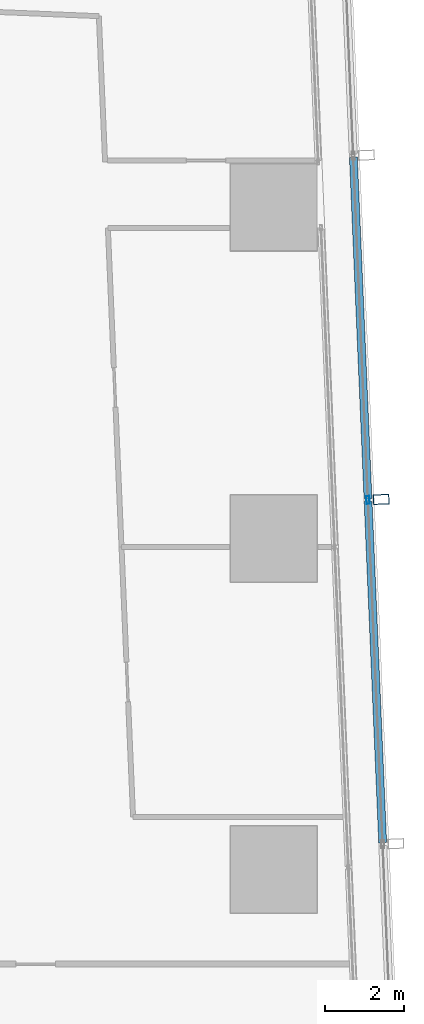
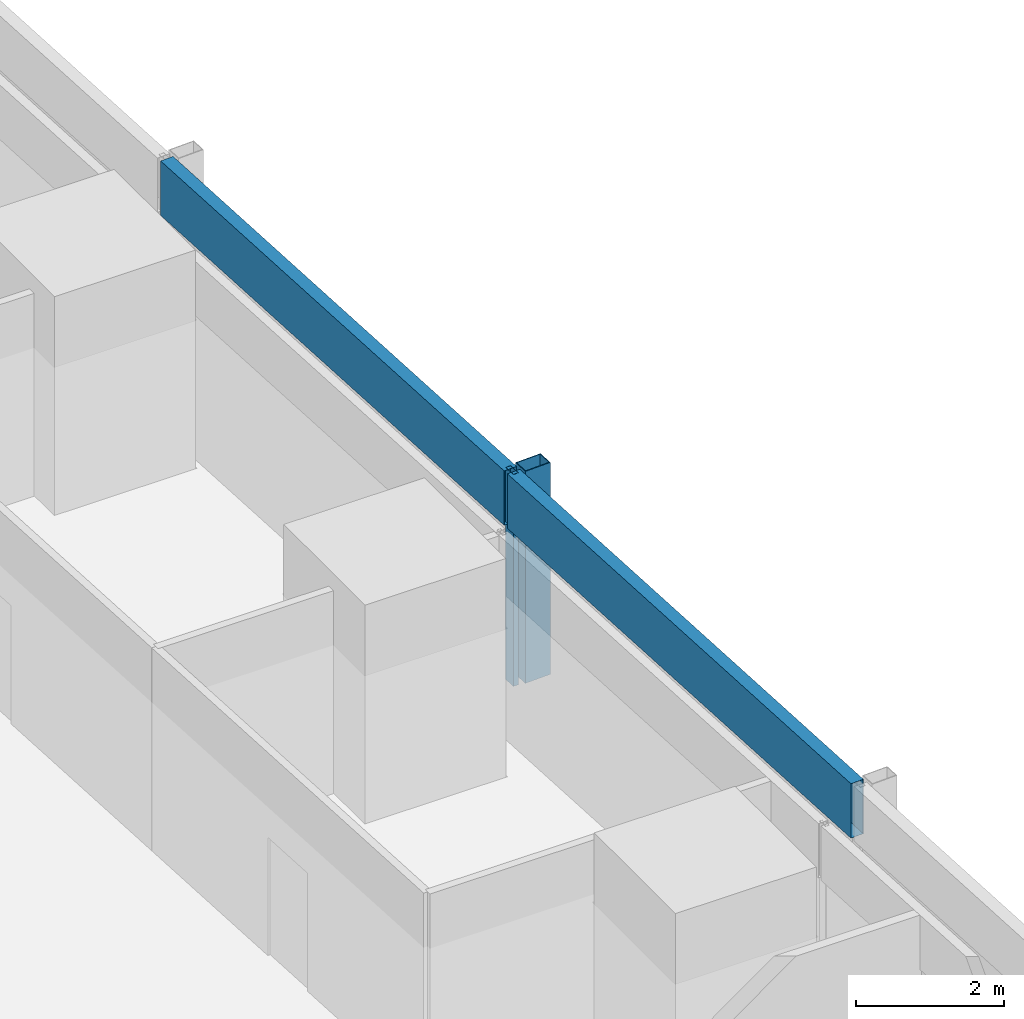
# One storey, part 28 of 44: 4 members, 1 element without a shape of its own.
"""IFC4 building model written with IfcOpenShell, lengths in metres."""

from ifc_helpers import new_model, si_unit, direction, frame, origin, origin_2d, place, context, subcontext, project, spatial, hollow_rectangle, extrude, material, material_profile, profile_set, type_object, element, aggregate, save


model = new_model("IFC4")

# Units and contexts
model_context = context("Model", 3, precision=1e-05, world=origin(), true_north=direction((0.0, 1.0)))
body_context = subcontext(model_context, "Body", "Model", "MODEL_VIEW")
ifc_project = project(units=[si_unit("LENGTHUNIT", "METRE"), si_unit("AREAUNIT", "SQUARE_METRE"), si_unit("VOLUMEUNIT", "CUBIC_METRE"), si_unit("PLANEANGLEUNIT", "RADIAN"), si_unit("MASSUNIT", "GRAM", prefix="KILO")], contexts=[model_context])

# Site, building, storey
site_placement = place(None, origin())
site = spatial("IfcSite", under=ifc_project, at=site_placement, CompositionType="ELEMENT")
building_placement = place(site_placement, origin())
building = spatial("IfcBuilding", under=site, at=building_placement, Name="Rekha Terrace Tower", CompositionType="ELEMENT")
storey_placement = place(building_placement, frame((0.0, 0.0, 66.64990234375)))
storey = spatial("IfcBuildingStorey", under=building, at=storey_placement, Name="L16", CompositionType="ELEMENT", Elevation=66.64990234375)

# Curtain wall, members
ifc_material_1 = material(Name="Aluminium framing", Category="aluminium")
curtain_wall_type = type_object("IfcCurtainWallType", Name="CW2 double skin outer glazing", PredefinedType="USERDEFINED", material=ifc_material_1)
curtain_wall_placement = place(storey_placement, origin())
curtain_wall = element("IfcCurtainWall", 1, at=curtain_wall_placement, inside=storey, type_object=curtain_wall_type, Name="CW2 double skin outer glazing", ObjectType="DOUBLE SKIN OUTER GLAZING", PredefinedType="USERDEFINED")
ifc_material_2 = material(Name="Steel S355 with fluorocarbon finish", Category="steel")
ifc_material_profile_1 = material_profile(ifc_material_2, hollow_rectangle(XDim=0.25, YDim=0.39990234375, WallThickness=0.012451171875, at=origin_2d()), Name="RHS400x250x12.5")
ifc_profile_set_1 = profile_set([ifc_material_profile_1], Name="Steel S355 with fluorocarbon finish")
member_type_1 = type_object("IfcMemberType", Name="BL1 facade blade RHS 400 x 250", PredefinedType="USERDEFINED", material=ifc_profile_set_1)
member_1_placement = place(storey_placement, frame((69.927734375, 42.989013671875, 0.0), z_axis=(0.0, 0.0, 1.0), x_axis=(-0.04269522475, 0.99908814315, 0.0)))
member_1 = element("IfcMember", 2, at=member_1_placement, type_object=member_type_1, Name="Facade blade", ObjectType="FACADE BLADE", PredefinedType="USERDEFINED", context=body_context, shape_type="SweptSolid", body=[
    extrude(hollow_rectangle(XDim=0.25, YDim=0.39990234375, WallThickness=0.012451171875, at=origin_2d()), origin(), (0.0, 0.0, 1.0), 3.5),
])
ifc_material_3 = material(Name="Aluminium mullion section", Category="aluminium")
ifc_material_profile_2 = material_profile(ifc_material_3, hollow_rectangle(XDim=0.080078125, YDim=0.199951171875, WallThickness=0.00390625, at=origin_2d()), Name="AL RHS 80x200")
ifc_profile_set_2 = profile_set([ifc_material_profile_2], Name="Aluminium mullion section")
member_type_2 = type_object("IfcMemberType", Name="CW2 mullion RHS 80 x 200", PredefinedType="MULLION", material=ifc_profile_set_2)
member_2_placement = place(storey_placement, frame((69.593017578125, 42.974609375, 0.0), z_axis=(0.0, 0.0, 1.0), x_axis=(-0.999088106903, -0.042696072956, 0.0)))
member_2 = element("IfcMember", 3, at=member_2_placement, type_object=member_type_2, Name="CW2 mullion 3", PredefinedType="MULLION", context=body_context, shape_type="SweptSolid", body=[
    extrude(hollow_rectangle(XDim=0.080078125, YDim=0.199951171875, WallThickness=0.00390625, at=origin_2d()), origin(), (0.0, 0.0, 1.0), 3.5),
])
ifc_material_4 = material(Name="Insulated aluminium spandrel box", Category="aluminium")
ifc_material_profile_3 = material_profile(ifc_material_4, hollow_rectangle(XDim=0.199951171875, YDim=0.89990234375, WallThickness=0.0029296875, at=origin_2d()), Name="AL SPANDREL BOX 200x900")
ifc_profile_set_3 = profile_set([ifc_material_profile_3], Name="Insulated aluminium spandrel box")
member_type_3 = type_object("IfcMemberType", Name="CW2 spandrel transom 200 x 900", PredefinedType="USERDEFINED", material=ifc_profile_set_3)
member_3_placement = place(storey_placement, frame((69.964599609375, 34.27880859375, 3.050048828125), z_axis=(-0.042692466729, 0.999088261008, 0.0), x_axis=(-0.999088261008, -0.042692466729, 0.0)))
member_3 = element("IfcMember", 4, at=member_3_placement, type_object=member_type_3, Name="CW2 spandrel transom 2", ObjectType="TRANSOM", PredefinedType="USERDEFINED", context=body_context, shape_type="SweptSolid", body=[
    extrude(hollow_rectangle(XDim=0.199951171875, YDim=0.89990234375, WallThickness=0.0029296875, at=origin_2d()), origin(), (0.0, 0.0, 1.0), 8.66357421875),
])
member_4_placement = place(storey_placement, frame((69.59130859375, 43.014404296875, 3.050048828125), z_axis=(-0.042691264793, 0.999088312368, 0.0), x_axis=(-0.999088312368, -0.042691264793, 0.0)))
member_4 = element("IfcMember", 5, at=member_4_placement, type_object=member_type_3, Name="CW2 spandrel transom 3", ObjectType="TRANSOM", PredefinedType="USERDEFINED", context=body_context, shape_type="SweptSolid", body=[
    extrude(hollow_rectangle(XDim=0.199951171875, YDim=0.89990234375, WallThickness=0.0029296875, at=origin_2d()), origin(), (0.0, 0.0, 1.0), 8.663818359375),
])
aggregate(curtain_wall, [member_2, member_3, member_4, member_1])

save(model, "model.ifc")
